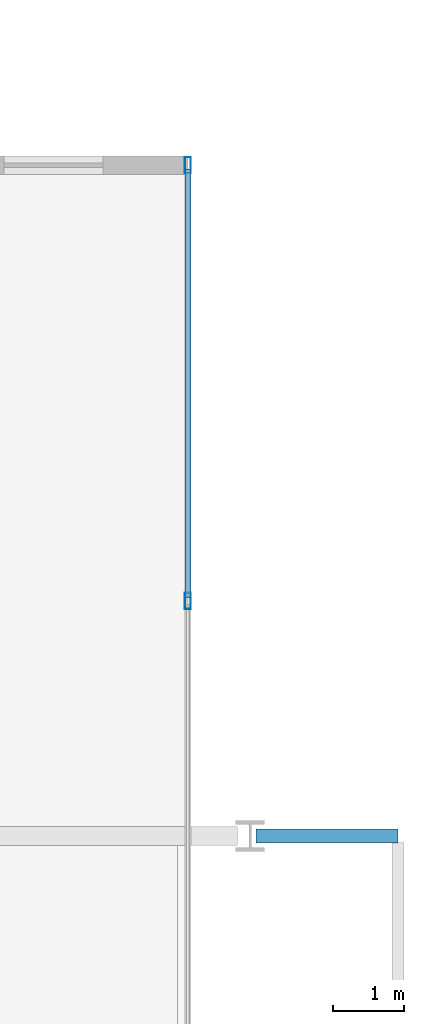
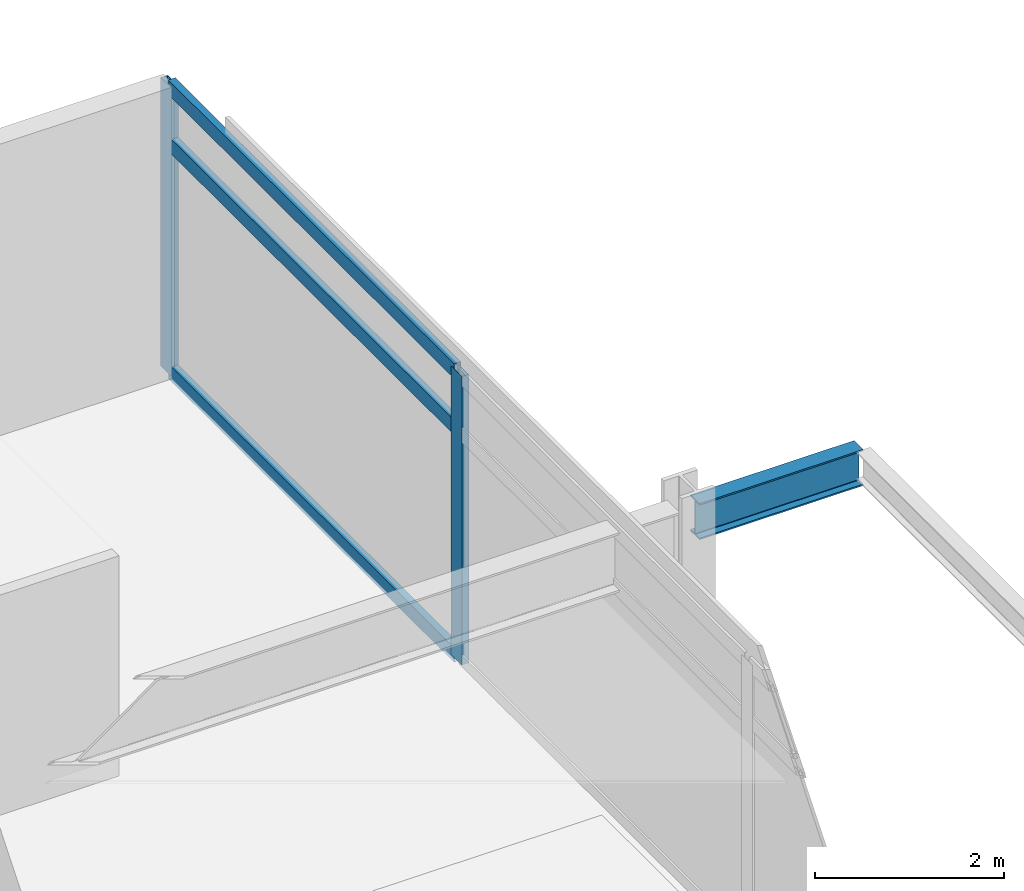
# One storey, part 12 of 23: 5 members, 1 beam, 1 element without a shape of its own.
"""IFC4 building model written with IfcOpenShell, lengths in metres."""

from ifc_helpers import new_model, si_unit, direction, frame, origin, origin_2d, place, context, subcontext, project, spatial, hollow_rectangle, i_section, extrude, material, material_profile, profile_set, type_object, element, aggregate, save


model = new_model("IFC4")

# Units and contexts
model_context = context("Model", 3, precision=1e-05, world=origin(), true_north=direction((0.0, 1.0)))
body_context = subcontext(model_context, "Body", "Model", "MODEL_VIEW")
ifc_project = project(units=[si_unit("LENGTHUNIT", "METRE"), si_unit("AREAUNIT", "SQUARE_METRE"), si_unit("VOLUMEUNIT", "CUBIC_METRE"), si_unit("PLANEANGLEUNIT", "RADIAN"), si_unit("MASSUNIT", "GRAM", prefix="KILO")], contexts=[model_context])

# Site, building, storey
site_placement = place(None, origin())
site = spatial("IfcSite", under=ifc_project, at=site_placement, CompositionType="ELEMENT")
building_placement = place(site_placement, origin())
building = spatial("IfcBuilding", under=site, at=building_placement, Name="Kovane Verandah Tower", CompositionType="ELEMENT")
storey_placement = place(building_placement, frame((0.0, 0.0, 168.39990234375)))
storey = spatial("IfcBuildingStorey", under=building, at=storey_placement, Name="L39", CompositionType="ELEMENT", Elevation=168.39990234375)

# Curtain wall, members
ifc_material_1 = material(Name="Champagne Anodised Aluminium Frame with Low-E Clear Laminated Glass", Category="aluminium")
curtain_wall_type = type_object("IfcCurtainWallType", Name="CW-SYS-03-MID", PredefinedType="NOTDEFINED", material=ifc_material_1)
curtain_wall_placement = place(storey_placement, origin())
curtain_wall = element("IfcCurtainWall", 1, at=curtain_wall_placement, inside=storey, type_object=curtain_wall_type, Name="L39 E Unitised Curtain Wall", PredefinedType="NOTDEFINED")
ifc_material_2 = material(Name="Champagne Anodised Aluminium 6063-T6", Category="aluminium")
ifc_material_profile_1 = material_profile(ifc_material_2, hollow_rectangle(XDim=0.0849609375, YDim=0.22998046875, WallThickness=0.00390625, at=origin_2d()), Name="AL85x230x4")
ifc_profile_set_1 = profile_set([ifc_material_profile_1], Name="Champagne Anodised Aluminium 6063-T6")
member_type_1 = type_object("IfcMemberType", Name="CW-MUL-85x230", PredefinedType="MULLION", material=ifc_profile_set_1)
member_1_placement = place(storey_placement, frame((66.7197265625, 39.821533203125, 0.02001953125), z_axis=(0.0, 0.0, 1.0), x_axis=(1.0, 0.0, 0.0)))
member_1 = element("IfcMember", 2, at=member_1_placement, type_object=member_type_1, Name="L39 E Unitised Curtain Wall Mullion 6", PredefinedType="MULLION", context=body_context, shape_type="SweptSolid", body=[
    extrude(hollow_rectangle(XDim=0.0849609375, YDim=0.22998046875, WallThickness=0.00390625, at=origin_2d()), origin(), (0.0, 0.0, 1.0), 3.735107421875),
])
member_2_placement = place(storey_placement, frame((66.7197265625, 45.982177734375, 0.02001953125), z_axis=(0.0, 0.0, 1.0), x_axis=(1.0, 0.0, 0.0)))
member_2 = element("IfcMember", 3, at=member_2_placement, type_object=member_type_1, Name="L39 E Unitised Curtain Wall Mullion 7", PredefinedType="MULLION", context=body_context, shape_type="SweptSolid", body=[
    extrude(hollow_rectangle(XDim=0.0849609375, YDim=0.22998046875, WallThickness=0.00390625, at=origin_2d()), origin(), (0.0, 0.0, 1.0), 3.735107421875),
])
ifc_material_profile_2 = material_profile(ifc_material_2, hollow_rectangle(XDim=0.0849609375, YDim=0.18994140625, WallThickness=0.00390625, at=origin_2d()), Name="AL85x190x4")
ifc_profile_set_2 = profile_set([ifc_material_profile_2], Name="Champagne Anodised Aluminium 6063-T6")
member_type_2 = type_object("IfcMemberType", Name="CW-TRN-85x190", PredefinedType="USERDEFINED", material=ifc_profile_set_2)
member_3_placement = place(storey_placement, frame((66.7197265625, 39.87158203125, 0.050048828125), z_axis=(0.0, 1.0, 0.0), x_axis=(-1.0, 0.0, 0.0)))
member_3 = element("IfcMember", 4, at=member_3_placement, type_object=member_type_2, Name="L39 E Unitised Curtain Wall Transom TB Bay 6", ObjectType="TRANSOM", PredefinedType="USERDEFINED", context=body_context, shape_type="SweptSolid", body=[
    extrude(hollow_rectangle(XDim=0.0849609375, YDim=0.18994140625, WallThickness=0.00390625, at=origin_2d()), origin(), (0.0, 0.0, 1.0), 6.060546875),
])
member_4_placement = place(storey_placement, frame((66.7197265625, 39.87158203125, 2.9951171875), z_axis=(0.0, 1.0, 0.0), x_axis=(-1.0, 0.0, 0.0)))
member_4 = element("IfcMember", 5, at=member_4_placement, type_object=member_type_2, Name="L39 E Unitised Curtain Wall Transom TM Bay 6", ObjectType="TRANSOM", PredefinedType="USERDEFINED", context=body_context, shape_type="SweptSolid", body=[
    extrude(hollow_rectangle(XDim=0.0849609375, YDim=0.18994140625, WallThickness=0.00390625, at=origin_2d()), origin(), (0.0, 0.0, 1.0), 6.060546875),
])
member_5_placement = place(storey_placement, frame((66.7197265625, 39.87158203125, 3.72509765625), z_axis=(0.0, 1.0, 0.0), x_axis=(-1.0, 0.0, 0.0)))
member_5 = element("IfcMember", 6, at=member_5_placement, type_object=member_type_2, Name="L39 E Unitised Curtain Wall Transom TT Bay 6", ObjectType="TRANSOM", PredefinedType="USERDEFINED", context=body_context, shape_type="SweptSolid", body=[
    extrude(hollow_rectangle(XDim=0.0849609375, YDim=0.18994140625, WallThickness=0.00390625, at=origin_2d()), origin(), (0.0, 0.0, 1.0), 6.060546875),
])
aggregate(curtain_wall, [member_1, member_2, member_3, member_4, member_5])

# Beam
ifc_material_3 = material(Name="Steel S355", Category="steel")
ifc_material_profile_3 = material_profile(ifc_material_3, i_section(OverallWidth=0.19287109375, OverallDepth=0.46728515625, WebThickness=0.011474609375, FlangeThickness=0.01953125, FilletRadius=0.01025390625, at=origin_2d()), Name="UB457x191x98")
ifc_profile_set_3 = profile_set([ifc_material_profile_3], Name="Steel S355")
beam_type = type_object("IfcBeamType", Name="JST-UB457x98", PredefinedType="JOIST", material=ifc_profile_set_3)
beam_placement = place(storey_placement, frame((67.679931640625, 36.5, 3.526611328125), z_axis=(1.0, 0.0, 0.0), x_axis=(0.0, 1.0, 0.0)))
element("IfcBeam", 7, at=beam_placement, inside=storey, type_object=beam_type, Name="L39 East Planter Girder 2", PredefinedType="JOIST", context=body_context, shape_type="SweptSolid", body=[
    extrude(i_section(OverallWidth=0.19287109375, OverallDepth=0.46728515625, WebThickness=0.011474609375, FlangeThickness=0.01953125, FilletRadius=0.01025390625, at=origin_2d()), origin(), (0.0, 0.0, 1.0), 2.0087890625),
])

save(model, "model.ifc")
